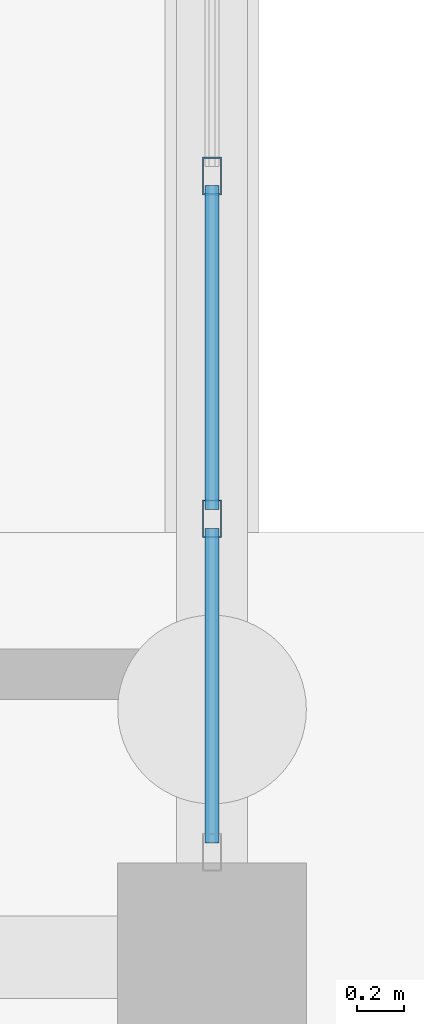
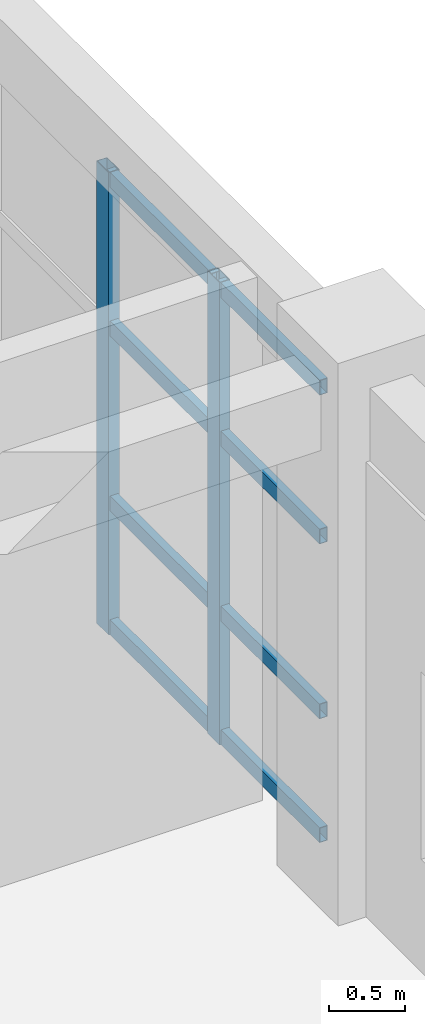
# One storey, part 92 of 166: 10 members, 1 element without a shape of its own.
"""IFC4 building model written with IfcOpenShell, lengths in metres."""

from ifc_helpers import new_model, si_unit, direction, frame, origin, origin_2d, place, context, subcontext, project, spatial, hollow_rectangle, extrude, material, material_profile, profile_set, type_object, element, aggregate, save


model = new_model("IFC4")

# Units and contexts
model_context = context("Model", 3, precision=1e-05, world=origin(), true_north=direction((0.0, 1.0)))
body_context = subcontext(model_context, "Body", "Model", "MODEL_VIEW")
ifc_project = project(units=[si_unit("LENGTHUNIT", "METRE"), si_unit("AREAUNIT", "SQUARE_METRE"), si_unit("VOLUMEUNIT", "CUBIC_METRE"), si_unit("PLANEANGLEUNIT", "RADIAN"), si_unit("MASSUNIT", "GRAM", prefix="KILO")], contexts=[model_context])

# Site, building, storey
site_placement = place(None, origin())
site = spatial("IfcSite", under=ifc_project, at=site_placement, CompositionType="ELEMENT")
building_placement = place(site_placement, origin())
building = spatial("IfcBuilding", under=site, at=building_placement, Name="Kharva Crest Polytechnic", CompositionType="ELEMENT")
storey_placement = place(building_placement, origin())
storey = spatial("IfcBuildingStorey", under=building, at=storey_placement, Name="L00", CompositionType="ELEMENT", Elevation=0.0)

# Curtain wall, members
ifc_material_1 = material(Name="Tempered insulated glass", Category="glass")
curtain_wall_type = type_object("IfcCurtainWallType", Name="CW-SYS-COURT", PredefinedType="USERDEFINED", material=ifc_material_1)
curtain_wall_placement = place(storey_placement, origin())
curtain_wall = element("IfcCurtainWall", 1, at=curtain_wall_placement, inside=storey, type_object=curtain_wall_type, Name="L00 Glazed Curtain Wall CW-017", ObjectType="CURTAIN WALL", PredefinedType="USERDEFINED")
ifc_material_2 = material(Name="Steel S355", Category="steel")
ifc_material_profile_1 = material_profile(ifc_material_2, hollow_rectangle(XDim=0.080078125, YDim=0.159912109375, WallThickness=0.0048828125, at=origin_2d()), Name="RHS 160X80X5.0")
ifc_profile_set_1 = profile_set([ifc_material_profile_1], Name="Steel S355")
member_type_1 = type_object("IfcMemberType", Name="CWM-RHS160X80", PredefinedType="MULLION", material=ifc_profile_set_1)
member_1_placement = place(storey_placement, frame((184.0, 56.657958984375, 0.0), z_axis=(0.0, 0.0, 1.0), x_axis=(-1.0, 0.0, 0.0)))
member_1 = element("IfcMember", 2, at=member_1_placement, type_object=member_type_1, Name="CW-017 mullion 2", PredefinedType="MULLION", context=body_context, shape_type="SweptSolid", body=[
    extrude(hollow_rectangle(XDim=0.080078125, YDim=0.159912109375, WallThickness=0.0048828125, at=origin_2d()), origin(), (0.0, 0.0, 1.0), 3.699951171875),
])
member_2_placement = place(storey_placement, frame((184.0, 58.111083984375, 0.0), z_axis=(0.0, 0.0, 1.0), x_axis=(-1.0, 0.0, 0.0)))
member_2 = element("IfcMember", 3, at=member_2_placement, type_object=member_type_1, Name="CW-017 mullion 3", PredefinedType="MULLION", context=body_context, shape_type="SweptSolid", body=[
    extrude(hollow_rectangle(XDim=0.080078125, YDim=0.159912109375, WallThickness=0.0048828125, at=origin_2d()), origin(), (0.0, 0.0, 1.0), 3.699951171875),
])
ifc_material_profile_2 = material_profile(ifc_material_2, hollow_rectangle(XDim=0.06005859375, YDim=0.1201171875, WallThickness=0.00390625, at=origin_2d()), Name="RHS 120X60X4.0")
ifc_profile_set_2 = profile_set([ifc_material_profile_2], Name="Steel S355")
member_type_2 = type_object("IfcMemberType", Name="CWT-RHS120X60", PredefinedType="USERDEFINED", material=ifc_profile_set_2)
member_3_placement = place(storey_placement, frame((184.0, 55.284912109375, 0.06005859375), z_axis=(0.0, 1.0, 0.0), x_axis=(-1.0, 0.0, 0.0)))
member_3 = element("IfcMember", 4, at=member_3_placement, type_object=member_type_2, Name="CW-017 transom 1.1", ObjectType="TRANSOM", PredefinedType="USERDEFINED", context=body_context, shape_type="SweptSolid", body=[
    extrude(hollow_rectangle(XDim=0.06005859375, YDim=0.1201171875, WallThickness=0.00390625, at=origin_2d()), origin(), (0.0, 0.0, 1.0), 1.3330078125),
])
member_4_placement = place(storey_placement, frame((184.0, 55.284912109375, 1.050048828125), z_axis=(0.0, 1.0, 0.0), x_axis=(-1.0, 0.0, 0.0)))
member_4 = element("IfcMember", 5, at=member_4_placement, type_object=member_type_2, Name="CW-017 transom 1.2", ObjectType="TRANSOM", PredefinedType="USERDEFINED", context=body_context, shape_type="SweptSolid", body=[
    extrude(hollow_rectangle(XDim=0.06005859375, YDim=0.1201171875, WallThickness=0.00390625, at=origin_2d()), origin(), (0.0, 0.0, 1.0), 1.3330078125),
])
member_5_placement = place(storey_placement, frame((184.0, 55.284912109375, 2.449951171875), z_axis=(0.0, 1.0, 0.0), x_axis=(-1.0, 0.0, 0.0)))
member_5 = element("IfcMember", 6, at=member_5_placement, type_object=member_type_2, Name="CW-017 transom 1.3", ObjectType="TRANSOM", PredefinedType="USERDEFINED", context=body_context, shape_type="SweptSolid", body=[
    extrude(hollow_rectangle(XDim=0.06005859375, YDim=0.1201171875, WallThickness=0.00390625, at=origin_2d()), origin(), (0.0, 0.0, 1.0), 1.3330078125),
])
member_6_placement = place(storey_placement, frame((184.0, 55.284912109375, 3.639892578125), z_axis=(0.0, 1.0, 0.0), x_axis=(-1.0, 0.0, 0.0)))
member_6 = element("IfcMember", 7, at=member_6_placement, type_object=member_type_2, Name="CW-017 transom 1.4", ObjectType="TRANSOM", PredefinedType="USERDEFINED", context=body_context, shape_type="SweptSolid", body=[
    extrude(hollow_rectangle(XDim=0.06005859375, YDim=0.1201171875, WallThickness=0.00390625, at=origin_2d()), origin(), (0.0, 0.0, 1.0), 1.3330078125),
])
member_7_placement = place(storey_placement, frame((184.0, 56.697998046875, 0.06005859375), z_axis=(0.0, 1.0, 0.0), x_axis=(-1.0, 0.0, 0.0)))
member_7 = element("IfcMember", 8, at=member_7_placement, type_object=member_type_2, Name="CW-017 transom 2.1", ObjectType="TRANSOM", PredefinedType="USERDEFINED", context=body_context, shape_type="SweptSolid", body=[
    extrude(hollow_rectangle(XDim=0.06005859375, YDim=0.1201171875, WallThickness=0.00390625, at=origin_2d()), origin(), (0.0, 0.0, 1.0), 1.373046875),
])
member_8_placement = place(storey_placement, frame((184.0, 56.697998046875, 1.050048828125), z_axis=(0.0, 1.0, 0.0), x_axis=(-1.0, 0.0, 0.0)))
member_8 = element("IfcMember", 9, at=member_8_placement, type_object=member_type_2, Name="CW-017 transom 2.2", ObjectType="TRANSOM", PredefinedType="USERDEFINED", context=body_context, shape_type="SweptSolid", body=[
    extrude(hollow_rectangle(XDim=0.06005859375, YDim=0.1201171875, WallThickness=0.00390625, at=origin_2d()), origin(), (0.0, 0.0, 1.0), 1.373046875),
])
member_9_placement = place(storey_placement, frame((184.0, 56.697998046875, 2.449951171875), z_axis=(0.0, 1.0, 0.0), x_axis=(-1.0, 0.0, 0.0)))
member_9 = element("IfcMember", 10, at=member_9_placement, type_object=member_type_2, Name="CW-017 transom 2.3", ObjectType="TRANSOM", PredefinedType="USERDEFINED", context=body_context, shape_type="SweptSolid", body=[
    extrude(hollow_rectangle(XDim=0.06005859375, YDim=0.1201171875, WallThickness=0.00390625, at=origin_2d()), origin(), (0.0, 0.0, 1.0), 1.373046875),
])
member_10_placement = place(storey_placement, frame((184.0, 56.697998046875, 3.639892578125), z_axis=(0.0, 1.0, 0.0), x_axis=(-1.0, 0.0, 0.0)))
member_10 = element("IfcMember", 11, at=member_10_placement, type_object=member_type_2, Name="CW-017 transom 2.4", ObjectType="TRANSOM", PredefinedType="USERDEFINED", context=body_context, shape_type="SweptSolid", body=[
    extrude(hollow_rectangle(XDim=0.06005859375, YDim=0.1201171875, WallThickness=0.00390625, at=origin_2d()), origin(), (0.0, 0.0, 1.0), 1.373046875),
])
aggregate(curtain_wall, [member_1, member_2, member_3, member_4, member_5, member_6, member_7, member_8, member_9, member_10])

save(model, "model.ifc")
